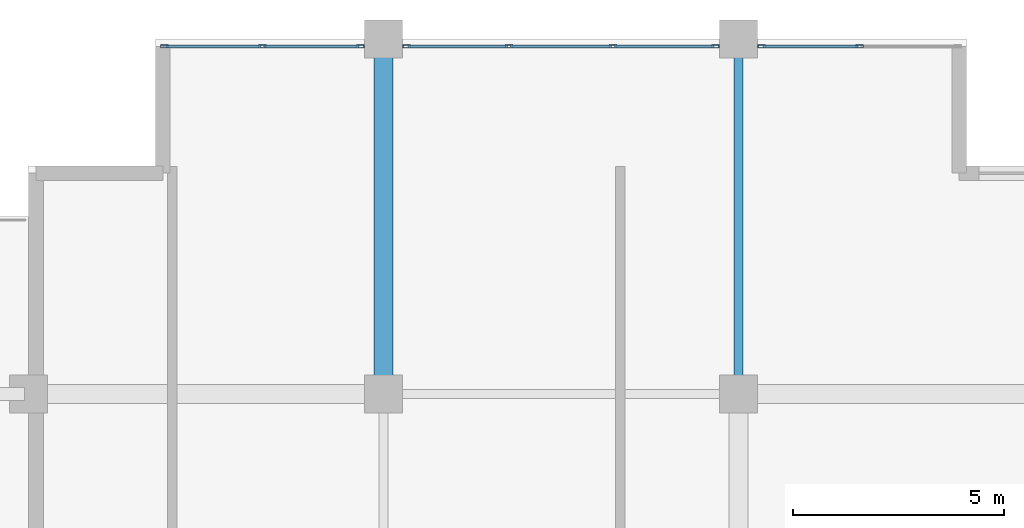
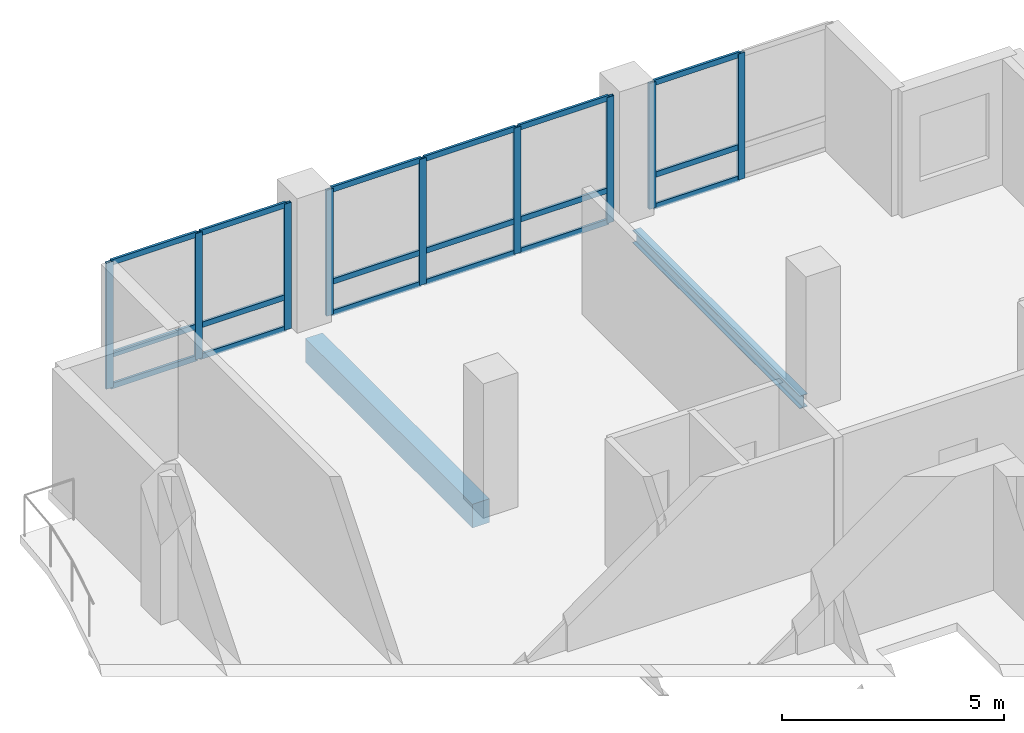
# One storey, part 3 of 17: 27 members, 2 beams, 3 elements without a shape of their own.
"""IFC4 building model written with IfcOpenShell, lengths in metres."""

from ifc_helpers import new_model, si_unit, direction, frame, origin, origin_2d, place, context, subcontext, project, spatial, rectangle, hollow_rectangle, i_section, extrude, material, layer, layer_set, material_profile, profile_set, type_object, element, aggregate, save


model = new_model("IFC4")

# Units and contexts
model_context = context("Model", 3, precision=1e-05, world=origin(), true_north=direction((0.0, 1.0)))
body_context = subcontext(model_context, "Body", "Model", "MODEL_VIEW")
ifc_project = project(units=[si_unit("LENGTHUNIT", "METRE"), si_unit("AREAUNIT", "SQUARE_METRE"), si_unit("VOLUMEUNIT", "CUBIC_METRE"), si_unit("PLANEANGLEUNIT", "RADIAN"), si_unit("MASSUNIT", "GRAM", prefix="KILO")], contexts=[model_context])

# Site, building, storey
site_placement = place(None, origin())
site = spatial("IfcSite", under=ifc_project, at=site_placement, CompositionType="ELEMENT")
building_placement = place(site_placement, origin())
building = spatial("IfcBuilding", under=site, at=building_placement, Name="Koriwani Terraces Tower", CompositionType="ELEMENT")
storey_placement = place(building_placement, frame((0.0, 0.0, 237.89990234375)))
storey = spatial("IfcBuildingStorey", under=building, at=storey_placement, Name="L58", CompositionType="ELEMENT", Elevation=237.89990234375)

# Beam
ifc_material_1 = material(Name="Concrete C50/60", Category="concrete")
ifc_material_profile_1 = material_profile(ifc_material_1, rectangle(XDim=0.449951171875, YDim=0.64990234375, at=origin_2d()), Name="Concrete C50/60", Category="LoadBearing")
ifc_profile_set_1 = profile_set([ifc_material_profile_1], Name="Concrete C50/60")
beam_type_1 = type_object("IfcBeamType", Name="BEAM_RC_GRID_450X650", PredefinedType="BEAM", material=ifc_profile_set_1)
beam_1_placement = place(storey_placement, frame((16.800048828125, 67.6298828125, -0.554931640625), z_axis=(0.0, 1.0, 0.0), x_axis=(-1.0, 0.0, 0.0)))
element("IfcBeam", 1, at=beam_1_placement, inside=storey, type_object=beam_type_1, Name="L58 Grid Beam 3 (67.2-75.6m)", PredefinedType="BEAM", context=body_context, shape_type="SweptSolid", body=[
    extrude(rectangle(XDim=0.449951171875, YDim=0.64990234375, at=origin_2d()), origin(), (0.0, 0.0, 1.0), 7.5400390625),
])

# Curtain wall, members
ifc_material_2 = material(Name="Anodised Bronze Aluminium", Category="aluminium")
ifc_layer = layer(ifc_material_2, 0.169921875, Name="Anodised Bronze Aluminium")
ifc_layer_set = layer_set([ifc_layer], Name="Anodised Bronze Aluminium")
curtain_wall_type = type_object("IfcCurtainWallType", Name="CW_RES_ZONE4", PredefinedType="NOTDEFINED", material=ifc_layer_set)
curtain_wall_1_placement = place(storey_placement, origin())
curtain_wall_1 = element("IfcCurtainWall", 2, at=curtain_wall_1_placement, inside=storey, type_object=curtain_wall_type, Name="L58 Unitised Curtain Wall (N_TIP) Bay 1", PredefinedType="NOTDEFINED")
ifc_material_profile_2 = material_profile(ifc_material_2, hollow_rectangle(XDim=0.074951171875, YDim=0.179931640625, WallThickness=0.006103515625, at=origin_2d()), Name="Anodised Bronze Aluminium", Category="LoadBearing")
ifc_profile_set_2 = profile_set([ifc_material_profile_2], Name="Anodised Bronze Aluminium")
member_type_1 = type_object("IfcMemberType", Name="CW_MULLION_180X75", PredefinedType="MULLION", material=ifc_profile_set_2)
member_1_placement = place(storey_placement, frame((11.612548828125, 75.425048828125, 0.0), z_axis=(0.0, 0.0, 1.0), x_axis=(0.0, 1.0, 0.0)))
member_1 = element("IfcMember", 3, at=member_1_placement, type_object=member_type_1, Name="CW-Z4 mullion 1", PredefinedType="MULLION", context=body_context, shape_type="SweptSolid", body=[
    extrude(hollow_rectangle(XDim=0.074951171875, YDim=0.179931640625, WallThickness=0.006103515625, at=origin_2d()), origin(), (0.0, 0.0, 1.0), 3.47021484375),
])
member_2_placement = place(storey_placement, frame((13.9326171875, 75.425048828125, 0.0), z_axis=(0.0, 0.0, 1.0), x_axis=(0.0, 1.0, 0.0)))
member_2 = element("IfcMember", 4, at=member_2_placement, type_object=member_type_1, Name="CW-Z4 mullion 2", PredefinedType="MULLION", context=body_context, shape_type="SweptSolid", body=[
    extrude(hollow_rectangle(XDim=0.074951171875, YDim=0.179931640625, WallThickness=0.006103515625, at=origin_2d()), origin(), (0.0, 0.0, 1.0), 3.47021484375),
])
member_3_placement = place(storey_placement, frame((16.25244140625, 75.425048828125, 0.0), z_axis=(0.0, 0.0, 1.0), x_axis=(0.0, 1.0, 0.0)))
member_3 = element("IfcMember", 5, at=member_3_placement, type_object=member_type_1, Name="CW-Z4 mullion 3", PredefinedType="MULLION", context=body_context, shape_type="SweptSolid", body=[
    extrude(hollow_rectangle(XDim=0.074951171875, YDim=0.179931640625, WallThickness=0.006103515625, at=origin_2d()), origin(), (0.0, 0.0, 1.0), 3.47021484375),
])

curtain_wall_2_placement = place(storey_placement, origin())
curtain_wall_2 = element("IfcCurtainWall", 6, at=curtain_wall_2_placement, inside=storey, type_object=curtain_wall_type, Name="L58 Unitised Curtain Wall (N_TIP) Bay 2", PredefinedType="NOTDEFINED")
member_4_placement = place(storey_placement, frame((17.347412109375, 75.425048828125, 0.0), z_axis=(0.0, 0.0, 1.0), x_axis=(0.0, 1.0, 0.0)))
member_4 = element("IfcMember", 7, at=member_4_placement, type_object=member_type_1, Name="CW-Z4 mullion 1", PredefinedType="MULLION", context=body_context, shape_type="SweptSolid", body=[
    extrude(hollow_rectangle(XDim=0.074951171875, YDim=0.179931640625, WallThickness=0.006103515625, at=origin_2d()), origin(), (0.0, 0.0, 1.0), 3.47021484375),
])
member_5_placement = place(storey_placement, frame((19.77001953125, 75.425048828125, 0.0), z_axis=(0.0, 0.0, 1.0), x_axis=(0.0, 1.0, 0.0)))
member_5 = element("IfcMember", 8, at=member_5_placement, type_object=member_type_1, Name="CW-Z4 mullion 2", PredefinedType="MULLION", context=body_context, shape_type="SweptSolid", body=[
    extrude(hollow_rectangle(XDim=0.074951171875, YDim=0.179931640625, WallThickness=0.006103515625, at=origin_2d()), origin(), (0.0, 0.0, 1.0), 3.47021484375),
])
member_6_placement = place(storey_placement, frame((22.22998046875, 75.425048828125, 0.0), z_axis=(0.0, 0.0, 1.0), x_axis=(0.0, 1.0, 0.0)))
member_6 = element("IfcMember", 9, at=member_6_placement, type_object=member_type_1, Name="CW-Z4 mullion 3", PredefinedType="MULLION", context=body_context, shape_type="SweptSolid", body=[
    extrude(hollow_rectangle(XDim=0.074951171875, YDim=0.179931640625, WallThickness=0.006103515625, at=origin_2d()), origin(), (0.0, 0.0, 1.0), 3.47021484375),
])
member_7_placement = place(storey_placement, frame((24.652587890625, 75.425048828125, 0.0), z_axis=(0.0, 0.0, 1.0), x_axis=(0.0, 1.0, 0.0)))
member_7 = element("IfcMember", 10, at=member_7_placement, type_object=member_type_1, Name="CW-Z4 mullion 4", PredefinedType="MULLION", context=body_context, shape_type="SweptSolid", body=[
    extrude(hollow_rectangle(XDim=0.074951171875, YDim=0.179931640625, WallThickness=0.006103515625, at=origin_2d()), origin(), (0.0, 0.0, 1.0), 3.47021484375),
])

curtain_wall_3_placement = place(storey_placement, origin())
curtain_wall_3 = element("IfcCurtainWall", 11, at=curtain_wall_3_placement, inside=storey, type_object=curtain_wall_type, Name="L58 Unitised Curtain Wall (N_TIP) Bay 3", PredefinedType="NOTDEFINED")
member_8_placement = place(storey_placement, frame((25.74755859375, 75.425048828125, 0.0), z_axis=(0.0, 0.0, 1.0), x_axis=(0.0, 1.0, 0.0)))
member_8 = element("IfcMember", 12, at=member_8_placement, type_object=member_type_1, Name="CW-Z4 mullion 1", PredefinedType="MULLION", context=body_context, shape_type="SweptSolid", body=[
    extrude(hollow_rectangle(XDim=0.074951171875, YDim=0.179931640625, WallThickness=0.006103515625, at=origin_2d()), origin(), (0.0, 0.0, 1.0), 3.47021484375),
])
member_9_placement = place(storey_placement, frame((28.0673828125, 75.425048828125, 0.0), z_axis=(0.0, 0.0, 1.0), x_axis=(0.0, 1.0, 0.0)))
member_9 = element("IfcMember", 13, at=member_9_placement, type_object=member_type_1, Name="CW-Z4 mullion 2", PredefinedType="MULLION", context=body_context, shape_type="SweptSolid", body=[
    extrude(hollow_rectangle(XDim=0.074951171875, YDim=0.179931640625, WallThickness=0.006103515625, at=origin_2d()), origin(), (0.0, 0.0, 1.0), 3.47021484375),
])

# Member
ifc_material_profile_3 = material_profile(ifc_material_2, hollow_rectangle(XDim=0.06494140625, YDim=0.14990234375, WallThickness=0.0048828125, at=origin_2d()), Name="Anodised Bronze Aluminium", Category="LoadBearing")
ifc_profile_set_3 = profile_set([ifc_material_profile_3], Name="Anodised Bronze Aluminium")
member_type_2 = type_object("IfcMemberType", Name="CW_TRANSOM_150X65", PredefinedType="USERDEFINED", material=ifc_profile_set_3)
member_10_placement = place(storey_placement, frame((11.64990234375, 75.425048828125, 0.03271484375), z_axis=(1.0, 0.0, 0.0), x_axis=(0.0, 1.0, 0.0)))
member_10 = element("IfcMember", 14, at=member_10_placement, type_object=member_type_2, Name="CW-Z4 transom 1.1", ObjectType="TRANSOM", PredefinedType="USERDEFINED", context=body_context, shape_type="SweptSolid", body=[
    extrude(hollow_rectangle(XDim=0.06494140625, YDim=0.14990234375, WallThickness=0.0048828125, at=origin_2d()), origin(), (0.0, 0.0, 1.0), 2.2451171875),
])

member_11_placement = place(storey_placement, frame((11.64990234375, 75.425048828125, 0.900146484375), z_axis=(1.0, 0.0, 0.0), x_axis=(0.0, 1.0, 0.0)))
member_11 = element("IfcMember", 15, at=member_11_placement, type_object=member_type_2, Name="CW-Z4 transom 1.2", ObjectType="TRANSOM", PredefinedType="USERDEFINED", context=body_context, shape_type="SweptSolid", body=[
    extrude(hollow_rectangle(XDim=0.06494140625, YDim=0.14990234375, WallThickness=0.0048828125, at=origin_2d()), origin(), (0.0, 0.0, 1.0), 2.2451171875),
])

member_12_placement = place(storey_placement, frame((11.64990234375, 75.425048828125, 3.4375), z_axis=(1.0, 0.0, 0.0), x_axis=(0.0, 1.0, 0.0)))
member_12 = element("IfcMember", 16, at=member_12_placement, type_object=member_type_2, Name="CW-Z4 transom 1.3", ObjectType="TRANSOM", PredefinedType="USERDEFINED", context=body_context, shape_type="SweptSolid", body=[
    extrude(hollow_rectangle(XDim=0.06494140625, YDim=0.14990234375, WallThickness=0.0048828125, at=origin_2d()), origin(), (0.0, 0.0, 1.0), 2.2451171875),
])

member_13_placement = place(storey_placement, frame((13.969970703125, 75.425048828125, 0.03271484375), z_axis=(1.0, 0.0, 0.0), x_axis=(0.0, 1.0, 0.0)))
member_13 = element("IfcMember", 17, at=member_13_placement, type_object=member_type_2, Name="CW-Z4 transom 2.1", ObjectType="TRANSOM", PredefinedType="USERDEFINED", context=body_context, shape_type="SweptSolid", body=[
    extrude(hollow_rectangle(XDim=0.06494140625, YDim=0.14990234375, WallThickness=0.0048828125, at=origin_2d()), origin(), (0.0, 0.0, 1.0), 2.2451171875),
])

member_14_placement = place(storey_placement, frame((13.969970703125, 75.425048828125, 0.900146484375), z_axis=(1.0, 0.0, 0.0), x_axis=(0.0, 1.0, 0.0)))
member_14 = element("IfcMember", 18, at=member_14_placement, type_object=member_type_2, Name="CW-Z4 transom 2.2", ObjectType="TRANSOM", PredefinedType="USERDEFINED", context=body_context, shape_type="SweptSolid", body=[
    extrude(hollow_rectangle(XDim=0.06494140625, YDim=0.14990234375, WallThickness=0.0048828125, at=origin_2d()), origin(), (0.0, 0.0, 1.0), 2.2451171875),
])

member_15_placement = place(storey_placement, frame((13.969970703125, 75.425048828125, 3.4375), z_axis=(1.0, 0.0, 0.0), x_axis=(0.0, 1.0, 0.0)))
member_15 = element("IfcMember", 19, at=member_15_placement, type_object=member_type_2, Name="CW-Z4 transom 2.3", ObjectType="TRANSOM", PredefinedType="USERDEFINED", context=body_context, shape_type="SweptSolid", body=[
    extrude(hollow_rectangle(XDim=0.06494140625, YDim=0.14990234375, WallThickness=0.0048828125, at=origin_2d()), origin(), (0.0, 0.0, 1.0), 2.2451171875),
])

aggregate(curtain_wall_1, [member_1, member_2, member_3, member_10, member_11, member_12, member_13, member_14, member_15])

member_16_placement = place(storey_placement, frame((17.385009765625, 75.425048828125, 0.03271484375), z_axis=(1.0, 0.0, 0.0), x_axis=(0.0, 1.0, 0.0)))
member_16 = element("IfcMember", 20, at=member_16_placement, type_object=member_type_2, Name="CW-Z4 transom 1.1", ObjectType="TRANSOM", PredefinedType="USERDEFINED", context=body_context, shape_type="SweptSolid", body=[
    extrude(hollow_rectangle(XDim=0.06494140625, YDim=0.14990234375, WallThickness=0.0048828125, at=origin_2d()), origin(), (0.0, 0.0, 1.0), 2.347412109375),
])

member_17_placement = place(storey_placement, frame((17.385009765625, 75.425048828125, 0.900146484375), z_axis=(1.0, 0.0, 0.0), x_axis=(0.0, 1.0, 0.0)))
member_17 = element("IfcMember", 21, at=member_17_placement, type_object=member_type_2, Name="CW-Z4 transom 1.2", ObjectType="TRANSOM", PredefinedType="USERDEFINED", context=body_context, shape_type="SweptSolid", body=[
    extrude(hollow_rectangle(XDim=0.06494140625, YDim=0.14990234375, WallThickness=0.0048828125, at=origin_2d()), origin(), (0.0, 0.0, 1.0), 2.347412109375),
])

member_18_placement = place(storey_placement, frame((17.385009765625, 75.425048828125, 3.4375), z_axis=(1.0, 0.0, 0.0), x_axis=(0.0, 1.0, 0.0)))
member_18 = element("IfcMember", 22, at=member_18_placement, type_object=member_type_2, Name="CW-Z4 transom 1.3", ObjectType="TRANSOM", PredefinedType="USERDEFINED", context=body_context, shape_type="SweptSolid", body=[
    extrude(hollow_rectangle(XDim=0.06494140625, YDim=0.14990234375, WallThickness=0.0048828125, at=origin_2d()), origin(), (0.0, 0.0, 1.0), 2.347412109375),
])

member_19_placement = place(storey_placement, frame((19.8076171875, 75.425048828125, 0.03271484375), z_axis=(1.0, 0.0, 0.0), x_axis=(0.0, 1.0, 0.0)))
member_19 = element("IfcMember", 23, at=member_19_placement, type_object=member_type_2, Name="CW-Z4 transom 2.1", ObjectType="TRANSOM", PredefinedType="USERDEFINED", context=body_context, shape_type="SweptSolid", body=[
    extrude(hollow_rectangle(XDim=0.06494140625, YDim=0.14990234375, WallThickness=0.0048828125, at=origin_2d()), origin(), (0.0, 0.0, 1.0), 2.384765625),
])

member_20_placement = place(storey_placement, frame((19.8076171875, 75.425048828125, 0.900146484375), z_axis=(1.0, 0.0, 0.0), x_axis=(0.0, 1.0, 0.0)))
member_20 = element("IfcMember", 24, at=member_20_placement, type_object=member_type_2, Name="CW-Z4 transom 2.2", ObjectType="TRANSOM", PredefinedType="USERDEFINED", context=body_context, shape_type="SweptSolid", body=[
    extrude(hollow_rectangle(XDim=0.06494140625, YDim=0.14990234375, WallThickness=0.0048828125, at=origin_2d()), origin(), (0.0, 0.0, 1.0), 2.384765625),
])

member_21_placement = place(storey_placement, frame((19.8076171875, 75.425048828125, 3.4375), z_axis=(1.0, 0.0, 0.0), x_axis=(0.0, 1.0, 0.0)))
member_21 = element("IfcMember", 25, at=member_21_placement, type_object=member_type_2, Name="CW-Z4 transom 2.3", ObjectType="TRANSOM", PredefinedType="USERDEFINED", context=body_context, shape_type="SweptSolid", body=[
    extrude(hollow_rectangle(XDim=0.06494140625, YDim=0.14990234375, WallThickness=0.0048828125, at=origin_2d()), origin(), (0.0, 0.0, 1.0), 2.384765625),
])

member_22_placement = place(storey_placement, frame((22.267578125, 75.425048828125, 0.03271484375), z_axis=(1.0, 0.0, 0.0), x_axis=(0.0, 1.0, 0.0)))
member_22 = element("IfcMember", 26, at=member_22_placement, type_object=member_type_2, Name="CW-Z4 transom 3.1", ObjectType="TRANSOM", PredefinedType="USERDEFINED", context=body_context, shape_type="SweptSolid", body=[
    extrude(hollow_rectangle(XDim=0.06494140625, YDim=0.14990234375, WallThickness=0.0048828125, at=origin_2d()), origin(), (0.0, 0.0, 1.0), 2.347412109375),
])

member_23_placement = place(storey_placement, frame((22.267578125, 75.425048828125, 0.900146484375), z_axis=(1.0, 0.0, 0.0), x_axis=(0.0, 1.0, 0.0)))
member_23 = element("IfcMember", 27, at=member_23_placement, type_object=member_type_2, Name="CW-Z4 transom 3.2", ObjectType="TRANSOM", PredefinedType="USERDEFINED", context=body_context, shape_type="SweptSolid", body=[
    extrude(hollow_rectangle(XDim=0.06494140625, YDim=0.14990234375, WallThickness=0.0048828125, at=origin_2d()), origin(), (0.0, 0.0, 1.0), 2.347412109375),
])

member_24_placement = place(storey_placement, frame((22.267578125, 75.425048828125, 3.4375), z_axis=(1.0, 0.0, 0.0), x_axis=(0.0, 1.0, 0.0)))
member_24 = element("IfcMember", 28, at=member_24_placement, type_object=member_type_2, Name="CW-Z4 transom 3.3", ObjectType="TRANSOM", PredefinedType="USERDEFINED", context=body_context, shape_type="SweptSolid", body=[
    extrude(hollow_rectangle(XDim=0.06494140625, YDim=0.14990234375, WallThickness=0.0048828125, at=origin_2d()), origin(), (0.0, 0.0, 1.0), 2.347412109375),
])

aggregate(curtain_wall_2, [member_4, member_5, member_6, member_7, member_16, member_17, member_18, member_19, member_20, member_21, member_22, member_23, member_24])

member_25_placement = place(storey_placement, frame((25.784912109375, 75.425048828125, 0.03271484375), z_axis=(1.0, 0.0, 0.0), x_axis=(0.0, 1.0, 0.0)))
member_25 = element("IfcMember", 29, at=member_25_placement, type_object=member_type_2, Name="CW-Z4 transom 1.1", ObjectType="TRANSOM", PredefinedType="USERDEFINED", context=body_context, shape_type="SweptSolid", body=[
    extrude(hollow_rectangle(XDim=0.06494140625, YDim=0.14990234375, WallThickness=0.0048828125, at=origin_2d()), origin(), (0.0, 0.0, 1.0), 2.2451171875),
])

member_26_placement = place(storey_placement, frame((25.784912109375, 75.425048828125, 0.900146484375), z_axis=(1.0, 0.0, 0.0), x_axis=(0.0, 1.0, 0.0)))
member_26 = element("IfcMember", 30, at=member_26_placement, type_object=member_type_2, Name="CW-Z4 transom 1.2", ObjectType="TRANSOM", PredefinedType="USERDEFINED", context=body_context, shape_type="SweptSolid", body=[
    extrude(hollow_rectangle(XDim=0.06494140625, YDim=0.14990234375, WallThickness=0.0048828125, at=origin_2d()), origin(), (0.0, 0.0, 1.0), 2.2451171875),
])

member_27_placement = place(storey_placement, frame((25.784912109375, 75.425048828125, 3.4375), z_axis=(1.0, 0.0, 0.0), x_axis=(0.0, 1.0, 0.0)))
member_27 = element("IfcMember", 31, at=member_27_placement, type_object=member_type_2, Name="CW-Z4 transom 1.3", ObjectType="TRANSOM", PredefinedType="USERDEFINED", context=body_context, shape_type="SweptSolid", body=[
    extrude(hollow_rectangle(XDim=0.06494140625, YDim=0.14990234375, WallThickness=0.0048828125, at=origin_2d()), origin(), (0.0, 0.0, 1.0), 2.2451171875),
])

aggregate(curtain_wall_3, [member_8, member_9, member_25, member_26, member_27])

# Beam
ifc_material_3 = material(Name="Steel ASTM A572 Grade 50", Category="steel")
ifc_material_profile_4 = material_profile(ifc_material_3, i_section(OverallWidth=0.205078125, OverallDepth=0.35400390625, WebThickness=0.009521484375, FlangeThickness=0.016845703125, at=origin_2d()), Name="Steel ASTM A572 Grade 50", Category="LoadBearing")
ifc_profile_set_4 = profile_set([ifc_material_profile_4], Name="Steel ASTM A572 Grade 50")
beam_type_2 = type_object("IfcBeamType", Name="STEEL_BEAM_W360X79", PredefinedType="JOIST", material=ifc_profile_set_4)
beam_2_placement = place(storey_placement, frame((25.199951171875, 67.6298828125, -0.406982421875), z_axis=(0.0, 1.0, 0.0), x_axis=(-1.0, 0.0, 0.0)))
element("IfcBeam", 32, at=beam_2_placement, inside=storey, type_object=beam_type_2, Name="L58 Grid Beam 4 (67.2-75.6m)", PredefinedType="JOIST", context=body_context, shape_type="SweptSolid", body=[
    extrude(i_section(OverallWidth=0.205078125, OverallDepth=0.35400390625, WebThickness=0.009521484375, FlangeThickness=0.016845703125, at=origin_2d()), origin(), (0.0, 0.0, 1.0), 7.5400390625),
])

save(model, "model.ifc")
